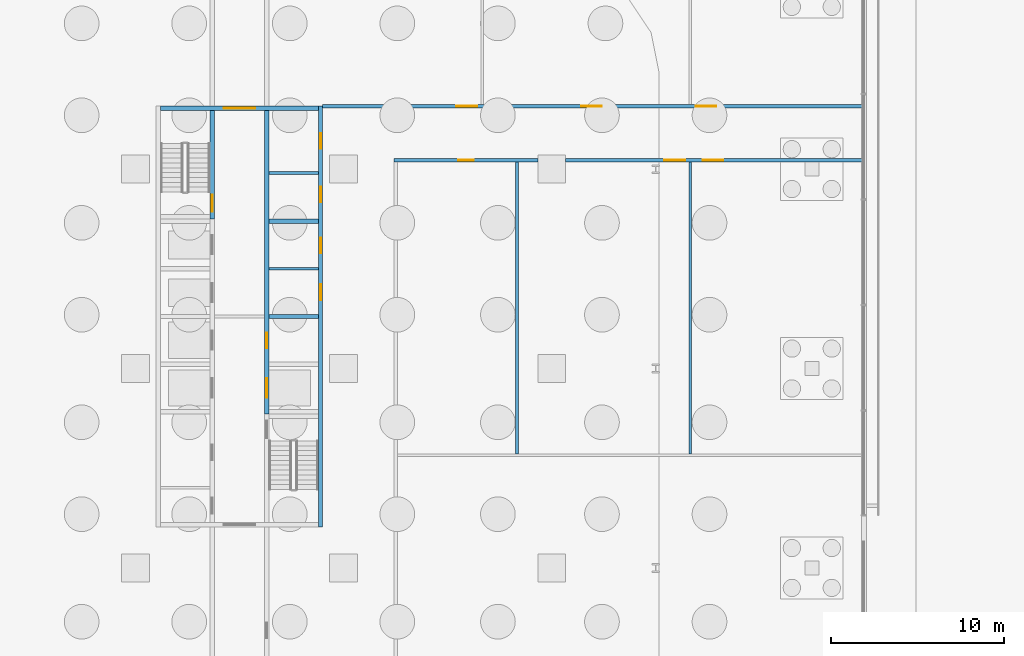
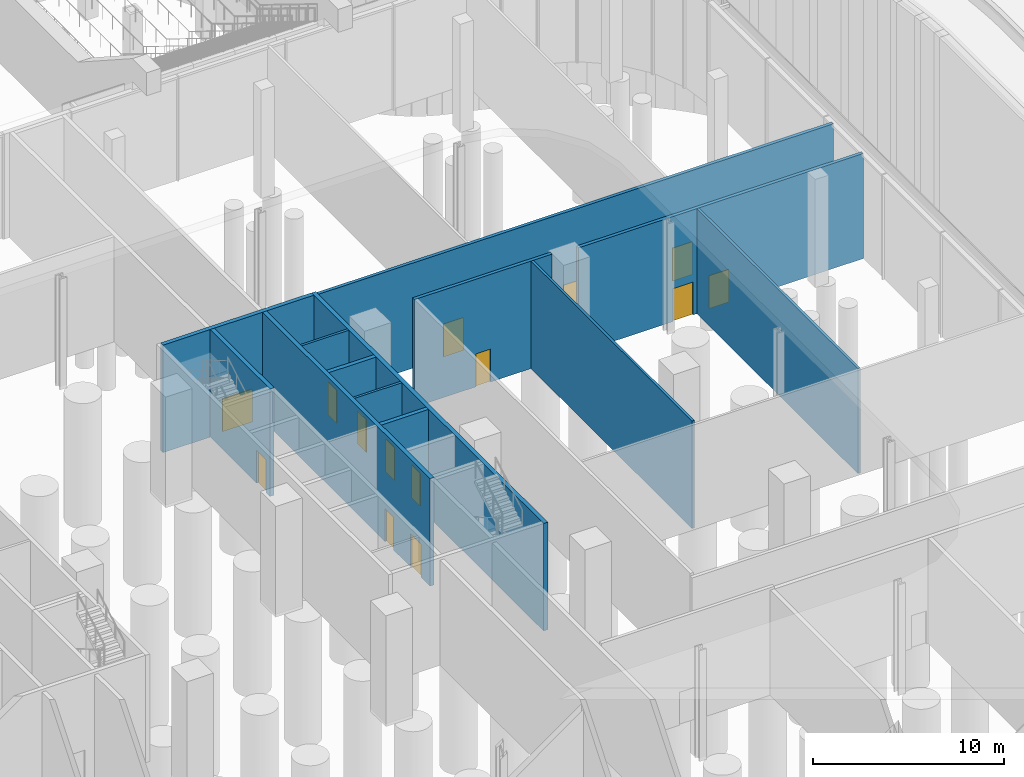
# One storey, part 28 of 48: 14 doors, 13 walls, 14 openings.
"""IFC4 building model written with IfcOpenShell, lengths in metres."""

from ifc_helpers import new_model, si_unit, direction, frame, frame_2d, origin, place, context, subcontext, project, spatial, rectangle, extrude, material, layer, layer_set, type_object, element, fill, save


model = new_model("IFC4")

# Units and contexts
model_context = context("Model", 3, precision=1e-05, world=origin(), true_north=direction((0.0, 1.0)))
body_context = subcontext(model_context, "Body", "Model", "MODEL_VIEW")
ifc_project = project(units=[si_unit("LENGTHUNIT", "METRE"), si_unit("AREAUNIT", "SQUARE_METRE"), si_unit("VOLUMEUNIT", "CUBIC_METRE"), si_unit("PLANEANGLEUNIT", "RADIAN"), si_unit("MASSUNIT", "GRAM", prefix="KILO")], contexts=[model_context])

# Site, building, storey
site_placement = place(None, origin())
site = spatial("IfcSite", under=ifc_project, at=site_placement, CompositionType="ELEMENT")
building_placement = place(site_placement, origin())
building = spatial("IfcBuilding", under=site, at=building_placement, Name="Mahtab Terrace Research Tower", CompositionType="ELEMENT")
storey_placement = place(building_placement, origin())
storey = spatial("IfcBuildingStorey", under=building, at=storey_placement, Name="G", CompositionType="ELEMENT", Elevation=0.0)

# Walls
ifc_material_1 = material(Name="Gypsum board partition")
ifc_layer_1 = layer(ifc_material_1, 0.14990234375)
ifc_layer_set_1 = layer_set([ifc_layer_1], Name="Core partition 150")
wall_type_1 = type_object("IfcWallType", Name="Core partition 150", PredefinedType="PARTITIONING", material=ifc_layer_set_1)
for number, where, z_axis, x_axis, name in (
    (1, (25.699951171875, 5.75, 0.0), (0.0, 0.0, 1.0), (1.0, 0.0, 0.0), "Core wall C pEL275"),
    (2, (25.699951171875, 11.27490234375, 0.0), (0.0, 0.0, 1.0), (1.0, 0.0, 0.0), "Core wall C pEN828"),
):
    element("IfcWall", number, at=place(storey_placement, frame(where, z_axis=z_axis, x_axis=x_axis)), inside=storey, type_object=wall_type_1, Name=name, PredefinedType="PARTITIONING", context=body_context, shape_type="SweptSolid", body=[
        extrude(rectangle(XDim=2.85009765625, YDim=0.14990234375, at=frame_2d((1.425048828125, 0.0))), origin(), (0.0, 0.0, 1.0), 6.860107421875),
    ])

# Wall, openings, doors
ifc_material_2 = material(Name="Concrete C70/85", Category="concrete")
ifc_layer_2 = layer(ifc_material_2, 0.25)
ifc_layer_set_2 = layer_set([ifc_layer_2], Name="Core wall 250")
wall_type_2 = type_object("IfcWallType", Name="Core wall 250", PredefinedType="SOLIDWALL", material=ifc_layer_set_2)
wall_1_placement = place(storey_placement, frame((28.675048828125, -9.125, 0.0), z_axis=(0.0, 0.0, 1.0), x_axis=(0.0, 1.0, 0.0)))
wall_1 = element("IfcWall", 3, at=wall_1_placement, inside=storey, type_object=wall_type_2, Name="Core wall C outerE", PredefinedType="SOLIDWALL", context=body_context, shape_type="SweptSolid", body=[
    extrude(rectangle(XDim=24.25, YDim=0.25, at=frame_2d((12.125, 0.0))), origin(), (0.0, 0.0, 1.0), 6.860107421875),
])
opening_1_placement = place(wall_1_placement, frame((13.074951171875, 0.0, 0.0)))
opening_1 = element("IfcOpeningElement", 4, at=opening_1_placement, cuts=wall_1, Name="Opening C-R2", PredefinedType="OPENING", context=body_context, shape_type="SweptSolid", body=[
    extrude(rectangle(XDim=0.89990234375, YDim=2.10009765625, at=frame_2d((0.449951171875, 1.050048828125))), frame((0.0, 0.135009765625, 0.0), z_axis=(0.0, -1.0, 0.0), x_axis=(1.0, 0.0, 0.0)), (0.0, 0.0, 1.0), 0.27001953125),
])
opening_2_placement = place(wall_1_placement, frame((15.77490234375, 0.0, 0.0)))
opening_2 = element("IfcOpeningElement", 5, at=opening_2_placement, cuts=wall_1, Name="Opening C-R3", PredefinedType="OPENING", context=body_context, shape_type="SweptSolid", body=[
    extrude(rectangle(XDim=0.89990234375, YDim=2.10009765625, at=frame_2d((0.449951171875, 1.050048828125))), frame((0.0, 0.135009765625, 0.0), z_axis=(0.0, -1.0, 0.0), x_axis=(1.0, 0.0, 0.0)), (0.0, 0.0, 1.0), 0.27001953125),
])
opening_3_placement = place(wall_1_placement, frame((18.71240234375, 0.0, 0.0)))
opening_3 = element("IfcOpeningElement", 6, at=opening_3_placement, cuts=wall_1, Name="Opening C-R6", PredefinedType="OPENING", context=body_context, shape_type="SweptSolid", body=[
    extrude(rectangle(XDim=0.89990234375, YDim=2.10009765625, at=frame_2d((0.449951171875, 1.050048828125))), frame((0.0, 0.135009765625, 0.0), z_axis=(0.0, -1.0, 0.0), x_axis=(1.0, 0.0, 0.0)), (0.0, 0.0, 1.0), 0.27001953125),
])
opening_4_placement = place(wall_1_placement, frame((21.78759765625, 0.0, 0.0)))
opening_4 = element("IfcOpeningElement", 7, at=opening_4_placement, cuts=wall_1, Name="Opening C-R7", PredefinedType="OPENING", context=body_context, shape_type="SweptSolid", body=[
    extrude(rectangle(XDim=0.89990234375, YDim=2.10009765625, at=frame_2d((0.449951171875, 1.050048828125))), frame((0.0, 0.135009765625, 0.0), z_axis=(0.0, -1.0, 0.0), x_axis=(1.0, 0.0, 0.0)), (0.0, 0.0, 1.0), 0.27001953125),
])
ifc_material_3 = material(Name="Steel fire door", Category="steel")
door_type_1 = type_object("IfcDoorType", Name="Room door 900x2100 1 HR", OperationType="NOTDEFINED", PredefinedType="DOOR", material=ifc_material_3)
door_1_placement = place(opening_1_placement, origin())
door_1 = element("IfcDoor", 8, at=door_1_placement, inside=storey, type_object=door_type_1, Name="Document store door", OperationType="SINGLE_SWING_RIGHT", OverallHeight=2.10009765625, OverallWidth=0.89990234375, PredefinedType="DOOR", context=body_context, shape_type="SweptSolid", body=[
    extrude(rectangle(XDim=0.89990234375, YDim=2.10009765625, at=frame_2d((0.449951171875, 1.050048828125))), frame((0.0, 0.02490234375, 0.0), z_axis=(0.0, -1.0, 0.0), x_axis=(1.0, 0.0, 0.0)), (0.0, 0.0, 1.0), 0.050048828125),
])
fill(opening_1, door_1)
door_2_placement = place(opening_2_placement, origin())
door_2 = element("IfcDoor", 9, at=door_2_placement, inside=storey, type_object=door_type_1, Name="IT equipment room door", OperationType="SINGLE_SWING_LEFT", OverallHeight=2.10009765625, OverallWidth=0.89990234375, PredefinedType="DOOR", context=body_context, shape_type="SweptSolid", body=[
    extrude(rectangle(XDim=0.89990234375, YDim=2.10009765625, at=frame_2d((0.449951171875, 1.050048828125))), frame((0.0, 0.02490234375, 0.0), z_axis=(0.0, -1.0, 0.0), x_axis=(1.0, 0.0, 0.0)), (0.0, 0.0, 1.0), 0.050048828125),
])
fill(opening_2, door_2)
door_3_placement = place(opening_3_placement, origin())
door_3 = element("IfcDoor", 10, at=door_3_placement, inside=storey, type_object=door_type_1, Name="Mechanical riser room door", OperationType="SINGLE_SWING_RIGHT", OverallHeight=2.10009765625, OverallWidth=0.89990234375, PredefinedType="DOOR", context=body_context, shape_type="SweptSolid", body=[
    extrude(rectangle(XDim=0.89990234375, YDim=2.10009765625, at=frame_2d((0.449951171875, 1.050048828125))), frame((0.0, 0.02490234375, 0.0), z_axis=(0.0, -1.0, 0.0), x_axis=(1.0, 0.0, 0.0)), (0.0, 0.0, 1.0), 0.050048828125),
])
fill(opening_3, door_3)
door_4_placement = place(opening_4_placement, origin())
door_4 = element("IfcDoor", 11, at=door_4_placement, inside=storey, type_object=door_type_1, Name="Chemical store door", OperationType="SINGLE_SWING_LEFT", OverallHeight=2.10009765625, OverallWidth=0.89990234375, PredefinedType="DOOR", context=body_context, shape_type="SweptSolid", body=[
    extrude(rectangle(XDim=0.89990234375, YDim=2.10009765625, at=frame_2d((0.449951171875, 1.050048828125))), frame((0.0, 0.02490234375, 0.0), z_axis=(0.0, -1.0, 0.0), x_axis=(1.0, 0.0, 0.0)), (0.0, 0.0, 1.0), 0.050048828125),
])
fill(opening_4, door_4)

# Wall, opening, door
wall_2_placement = place(storey_placement, frame((19.449951171875, 15.0, 0.0), z_axis=(0.0, 0.0, 1.0), x_axis=(1.0, 0.0, 0.0)))
wall_2 = element("IfcWall", 12, at=wall_2_placement, inside=storey, type_object=wall_type_2, Name="Core wall C endN", PredefinedType="SOLIDWALL", context=body_context, shape_type="SweptSolid", body=[
    extrude(rectangle(XDim=9.10009765625, YDim=0.25, at=frame_2d((4.550048828125, 0.0))), origin(), (0.0, 0.0, 1.0), 6.860107421875),
])
opening_5_placement = place(wall_2_placement, frame((3.64990234375, 0.0, 0.0)))
opening_5 = element("IfcOpeningElement", 13, at=opening_5_placement, cuts=wall_2, Name="Opening C-N1", PredefinedType="OPENING", context=body_context, shape_type="SweptSolid", body=[
    extrude(rectangle(XDim=1.800048828125, YDim=2.10009765625, at=frame_2d((0.89990234375, 1.050048828125))), frame((0.0, 0.135009765625, 0.0), z_axis=(0.0, -1.0, 0.0), x_axis=(1.0, 0.0, 0.0)), (0.0, 0.0, 1.0), 0.27001953125),
])
door_type_2 = type_object("IfcDoorType", Name="Lobby double door 1800x2100 1 HR", OperationType="DOUBLE_DOOR_SINGLE_SWING", PredefinedType="DOOR", material=ifc_material_3)
door_5_placement = place(opening_5_placement, origin())
door_5 = element("IfcDoor", 14, at=door_5_placement, inside=storey, type_object=door_type_2, Name="Core entrance door C N", OperationType="DOUBLE_DOOR_SINGLE_SWING", OverallHeight=2.10009765625, OverallWidth=1.800048828125, PredefinedType="DOOR", context=body_context, shape_type="SweptSolid", body=[
    extrude(rectangle(XDim=1.800048828125, YDim=2.10009765625, at=frame_2d((0.89990234375, 1.050048828125))), frame((0.0, 0.02490234375, 0.0), z_axis=(0.0, -1.0, 0.0), x_axis=(1.0, 0.0, 0.0)), (0.0, 0.0, 1.0), 0.050048828125),
])
fill(opening_5, door_5)

wall_3_placement = place(storey_placement, frame((22.425048828125, 14.875, 0.0), z_axis=(0.0, 0.0, 1.0), x_axis=(0.0, -1.0, 0.0)))
wall_3 = element("IfcWall", 15, at=wall_3_placement, inside=storey, type_object=wall_type_2, Name="Core wall C innerWN", PredefinedType="SOLIDWALL", context=body_context, shape_type="SweptSolid", body=[
    extrude(rectangle(XDim=6.25, YDim=0.25, at=frame_2d((3.125, 0.0))), origin(), (0.0, 0.0, 1.0), 6.860107421875),
])
opening_6_placement = place(wall_3_placement, frame((4.85009765625, 0.0, 0.0)))
opening_6 = element("IfcOpeningElement", 16, at=opening_6_placement, cuts=wall_3, Name="Opening C-ST3", PredefinedType="OPENING", context=body_context, shape_type="SweptSolid", body=[
    extrude(rectangle(XDim=1.0, YDim=2.10009765625, at=frame_2d((0.5, 1.050048828125))), frame((0.0, 0.135009765625, 0.0), z_axis=(0.0, -1.0, 0.0), x_axis=(1.0, 0.0, 0.0)), (0.0, 0.0, 1.0), 0.27001953125),
])
door_type_3 = type_object("IfcDoorType", Name="Stair door 1000x2100 1.5 HR", OperationType="NOTDEFINED", PredefinedType="DOOR", material=ifc_material_3)
door_6_placement = place(opening_6_placement, origin())
door_6 = element("IfcDoor", 17, at=door_6_placement, inside=storey, type_object=door_type_3, Name="Stair door ST3 G", OperationType="SINGLE_SWING_RIGHT", OverallHeight=2.10009765625, OverallWidth=1.0, PredefinedType="DOOR", context=body_context, shape_type="SweptSolid", body=[
    extrude(rectangle(XDim=1.0, YDim=2.10009765625, at=frame_2d((0.5, 1.050048828125))), frame((0.0, 0.02490234375, 0.0), z_axis=(0.0, -1.0, 0.0), x_axis=(1.0, 0.0, 0.0)), (0.0, 0.0, 1.0), 0.050048828125),
])
fill(opening_6, door_6)

# Wall, openings, doors
wall_4_placement = place(storey_placement, frame((25.574951171875, 14.875, 0.0), z_axis=(0.0, 0.0, 1.0), x_axis=(0.0, -1.0, 0.0)))
wall_4 = element("IfcWall", 18, at=wall_4_placement, inside=storey, type_object=wall_type_2, Name="Core wall C innerELN", PredefinedType="SOLIDWALL", context=body_context, shape_type="SweptSolid", body=[
    extrude(rectangle(XDim=17.5, YDim=0.25, at=frame_2d((8.75, 0.0))), origin(), (0.0, 0.0, 1.0), 6.860107421875),
])
opening_7_placement = place(wall_4_placement, frame((15.449951171875, 0.0, 0.0)))
opening_7 = element("IfcOpeningElement", 19, at=opening_7_placement, cuts=wall_4, Name="Opening LD21-G", PredefinedType="OPENING", context=body_context, shape_type="SweptSolid", body=[
    extrude(rectangle(XDim=1.10009765625, YDim=2.10009765625, at=frame_2d((0.550048828125, 1.050048828125))), frame((0.0, 0.135009765625, 0.0), z_axis=(0.0, -1.0, 0.0), x_axis=(1.0, 0.0, 0.0)), (0.0, 0.0, 1.0), 0.27001953125),
])
opening_8_placement = place(wall_4_placement, frame((12.800048828125, 0.0, 0.0)))
opening_8 = element("IfcOpeningElement", 20, at=opening_8_placement, cuts=wall_4, Name="Opening C-R1", PredefinedType="OPENING", context=body_context, shape_type="SweptSolid", body=[
    extrude(rectangle(XDim=0.89990234375, YDim=2.10009765625, at=frame_2d((0.449951171875, 1.050048828125))), frame((0.0, 0.135009765625, 0.0), z_axis=(0.0, -1.0, 0.0), x_axis=(1.0, 0.0, 0.0)), (0.0, 0.0, 1.0), 0.27001953125),
])
ifc_material_4 = material(Name="Stainless steel AISI 304", Category="steel")
door_type_4 = type_object("IfcDoorType", Name="Landing door 1100x2100", OperationType="DOUBLE_DOOR_SLIDING", PredefinedType="DOOR", material=ifc_material_4)
door_7_placement = place(opening_7_placement, origin())
door_7 = element("IfcDoor", 21, at=door_7_placement, inside=storey, type_object=door_type_4, Name="Landing door SV3 G", OperationType="DOUBLE_DOOR_SLIDING", OverallHeight=2.10009765625, OverallWidth=1.10009765625, PredefinedType="DOOR", context=body_context, shape_type="SweptSolid", body=[
    extrude(rectangle(XDim=1.10009765625, YDim=2.10009765625, at=frame_2d((0.550048828125, 1.050048828125))), frame((0.0, 0.02490234375, 0.0), z_axis=(0.0, -1.0, 0.0), x_axis=(1.0, 0.0, 0.0)), (0.0, 0.0, 1.0), 0.050048828125),
])
fill(opening_7, door_7)
door_8_placement = place(opening_8_placement, origin())
door_8 = element("IfcDoor", 22, at=door_8_placement, inside=storey, type_object=door_type_1, Name="Plant room door", OperationType="SINGLE_SWING_LEFT", OverallHeight=2.10009765625, OverallWidth=0.89990234375, PredefinedType="DOOR", context=body_context, shape_type="SweptSolid", body=[
    extrude(rectangle(XDim=0.89990234375, YDim=2.10009765625, at=frame_2d((0.449951171875, 1.050048828125))), frame((0.0, 0.02490234375, 0.0), z_axis=(0.0, -1.0, 0.0), x_axis=(1.0, 0.0, 0.0)), (0.0, 0.0, 1.0), 0.050048828125),
])
fill(opening_8, door_8)

# Walls
for number, where, z_axis, x_axis, name in (
    (23, (25.699951171875, 3.0, 0.0), (0.0, 0.0, 1.0), (1.0, 0.0, 0.0), "Core wall C divE2"),
    (24, (25.699951171875, 8.5, 0.0), (0.0, 0.0, 1.0), (1.0, 0.0, 0.0), "Core wall C divE4"),
):
    element("IfcWall", number, at=place(storey_placement, frame(where, z_axis=z_axis, x_axis=x_axis)), inside=storey, type_object=wall_type_2, Name=name, PredefinedType="SOLIDWALL", context=body_context, shape_type="SweptSolid", body=[
        extrude(rectangle(XDim=2.85009765625, YDim=0.25, at=frame_2d((1.425048828125, 0.0))), origin(), (0.0, 0.0, 1.0), 6.860107421875),
    ])

# Wall, opening, door
ifc_material_5 = material(Name="Gypsum board corridor wall on steel studs", Category="steel")
ifc_layer_3 = layer(ifc_material_5, 0.199951171875)
ifc_layer_set_3 = layer_set([ifc_layer_3], Name="WALL CORRIDOR 200")
wall_type_3 = type_object("IfcWallType", Name="WALL CORRIDOR 200", PredefinedType="PARTITIONING", material=ifc_layer_set_3)
wall_5_placement = place(storey_placement, frame((32.89990234375, 12.0, 0.0), z_axis=(0.0, 0.0, 1.0), x_axis=(1.0, 0.0, 0.0)))
wall_5 = element("IfcWall", 25, at=wall_5_placement, inside=storey, type_object=wall_type_3, Name="G-W013", PredefinedType="PARTITIONING", context=body_context, shape_type="SweptSolid", body=[
    extrude(rectangle(XDim=8.300048828125, YDim=0.199951171875, at=frame_2d((4.14990234375, 0.0))), origin(), (0.0, 0.0, 1.0), 6.860107421875),
])
opening_9_placement = place(wall_5_placement, frame((3.699951171875, 0.0, 0.0)))
opening_9 = element("IfcOpeningElement", 26, at=opening_9_placement, cuts=wall_5, Name="Opening G-113", PredefinedType="OPENING", context=body_context, shape_type="SweptSolid", body=[
    extrude(rectangle(XDim=0.89990234375, YDim=2.10009765625, at=frame_2d((0.449951171875, 1.050048828125))), frame((0.0, 0.10986328125, 0.0), z_axis=(0.0, -1.0, 0.0), x_axis=(1.0, 0.0, 0.0)), (0.0, 0.0, 1.0), 0.219970703125),
])
ifc_material_6 = material(Name="Timber door leaf in steel frame", Category="steel")
door_type_5 = type_object("IfcDoorType", Name="DOOR 0900X2100 FD30S", OperationType="SINGLE_SWING_LEFT", PredefinedType="DOOR", material=ifc_material_6)
door_9_placement = place(opening_9_placement, origin())
door_9 = element("IfcDoor", 27, at=door_9_placement, inside=storey, type_object=door_type_5, Name="Door G-113", OperationType="SINGLE_SWING_RIGHT", OverallHeight=2.10009765625, OverallWidth=0.89990234375, PredefinedType="DOOR", context=body_context, shape_type="SweptSolid", body=[
    extrude(rectangle(XDim=0.89990234375, YDim=2.10009765625, at=frame_2d((0.449951171875, 1.050048828125))), frame((0.0, 0.02490234375, 0.0), z_axis=(0.0, -1.0, 0.0), x_axis=(1.0, 0.0, 0.0)), (0.0, 0.0, 1.0), 0.050048828125),
])
fill(opening_9, door_9)

# Wall, openings, doors
wall_6_placement = place(storey_placement, frame((42.800048828125, 12.0, 0.0), z_axis=(0.0, 0.0, 1.0), x_axis=(1.0, 0.0, 0.0)))
wall_6 = element("IfcWall", 28, at=wall_6_placement, inside=storey, type_object=wall_type_3, Name="G-W014", PredefinedType="PARTITIONING", context=body_context, shape_type="SweptSolid", body=[
    extrude(rectangle(XDim=17.175048828125, YDim=0.199951171875, at=frame_2d((8.58740234375, 0.0))), origin(), (0.0, 0.0, 1.0), 6.699951171875),
])
opening_10_placement = place(wall_6_placement, frame((5.699951171875, 0.0, 0.0)))
opening_10 = element("IfcOpeningElement", 29, at=opening_10_placement, cuts=wall_6, Name="Opening G-114", PredefinedType="OPENING", context=body_context, shape_type="SweptSolid", body=[
    extrude(rectangle(XDim=1.199951171875, YDim=2.10009765625, at=frame_2d((0.60009765625, 1.050048828125))), frame((0.0, 0.10986328125, 0.0), z_axis=(0.0, -1.0, 0.0), x_axis=(1.0, 0.0, 0.0)), (0.0, 0.0, 1.0), 0.219970703125),
])
opening_11_placement = place(wall_6_placement, frame((7.89990234375, 0.0, 0.0)))
opening_11 = element("IfcOpeningElement", 30, at=opening_11_placement, cuts=wall_6, Name="Opening G-115", PredefinedType="OPENING", context=body_context, shape_type="SweptSolid", body=[
    extrude(rectangle(XDim=1.199951171875, YDim=2.10009765625, at=frame_2d((0.60009765625, 1.050048828125))), frame((0.0, 0.10986328125, 0.0), z_axis=(0.0, -1.0, 0.0), x_axis=(1.0, 0.0, 0.0)), (0.0, 0.0, 1.0), 0.219970703125),
])
door_type_6 = type_object("IfcDoorType", Name="DOOR 1200X2100 FD30S", OperationType="SINGLE_SWING_LEFT", PredefinedType="DOOR", material=ifc_material_6)
door_10_placement = place(opening_10_placement, origin())
door_10 = element("IfcDoor", 31, at=door_10_placement, inside=storey, type_object=door_type_6, Name="Door G-114", OperationType="SINGLE_SWING_RIGHT", OverallHeight=2.10009765625, OverallWidth=1.199951171875, PredefinedType="DOOR", context=body_context, shape_type="SweptSolid", body=[
    extrude(rectangle(XDim=1.199951171875, YDim=2.10009765625, at=frame_2d((0.60009765625, 1.050048828125))), frame((0.0, 0.02490234375, 0.0), z_axis=(0.0, -1.0, 0.0), x_axis=(1.0, 0.0, 0.0)), (0.0, 0.0, 1.0), 0.050048828125),
])
fill(opening_10, door_10)
door_11_placement = place(opening_11_placement, origin())
door_11 = element("IfcDoor", 32, at=door_11_placement, inside=storey, type_object=door_type_6, Name="Door G-115", OperationType="SINGLE_SWING_RIGHT", OverallHeight=2.10009765625, OverallWidth=1.199951171875, PredefinedType="DOOR", context=body_context, shape_type="SweptSolid", body=[
    extrude(rectangle(XDim=1.199951171875, YDim=2.10009765625, at=frame_2d((0.60009765625, 1.050048828125))), frame((0.0, 0.02490234375, 0.0), z_axis=(0.0, -1.0, 0.0), x_axis=(1.0, 0.0, 0.0)), (0.0, 0.0, 1.0), 0.050048828125),
])
fill(opening_11, door_11)

wall_7_placement = place(storey_placement, frame((28.800048828125, 15.125, 0.0), z_axis=(0.0, 0.0, 1.0), x_axis=(1.0, 0.0, 0.0)))
wall_7 = element("IfcWall", 33, at=wall_7_placement, inside=storey, type_object=wall_type_3, Name="G-W019", PredefinedType="PARTITIONING", context=body_context, shape_type="SweptSolid", body=[
    extrude(rectangle(XDim=31.175048828125, YDim=0.199951171875, at=frame_2d((15.58740234375, 0.0))), origin(), (0.0, 0.0, 1.0), 6.699951171875),
])
opening_12_placement = place(wall_7_placement, frame((7.699951171875, 0.0, 0.0)))
opening_12 = element("IfcOpeningElement", 34, at=opening_12_placement, cuts=wall_7, Name="Opening G-118", PredefinedType="OPENING", context=body_context, shape_type="SweptSolid", body=[
    extrude(rectangle(XDim=1.199951171875, YDim=2.10009765625, at=frame_2d((0.60009765625, 1.050048828125))), frame((0.0, 0.10986328125, 0.0), z_axis=(0.0, -1.0, 0.0), x_axis=(1.0, 0.0, 0.0)), (0.0, 0.0, 1.0), 0.219970703125),
])
opening_13_placement = place(wall_7_placement, frame((14.89990234375, 0.0, 0.0)))
opening_13 = element("IfcOpeningElement", 35, at=opening_13_placement, cuts=wall_7, Name="Opening G-119", PredefinedType="OPENING", context=body_context, shape_type="SweptSolid", body=[
    extrude(rectangle(XDim=1.199951171875, YDim=2.10009765625, at=frame_2d((0.60009765625, 1.050048828125))), frame((0.0, 0.10986328125, 0.0), z_axis=(0.0, -1.0, 0.0), x_axis=(1.0, 0.0, 0.0)), (0.0, 0.0, 1.0), 0.219970703125),
])
opening_14_placement = place(wall_7_placement, frame((21.5, 0.0, 0.0)))
opening_14 = element("IfcOpeningElement", 36, at=opening_14_placement, cuts=wall_7, Name="Opening G-120", PredefinedType="OPENING", context=body_context, shape_type="SweptSolid", body=[
    extrude(rectangle(XDim=1.199951171875, YDim=2.10009765625, at=frame_2d((0.60009765625, 1.050048828125))), frame((0.0, 0.10986328125, 0.0), z_axis=(0.0, -1.0, 0.0), x_axis=(1.0, 0.0, 0.0)), (0.0, 0.0, 1.0), 0.219970703125),
])
door_12_placement = place(opening_12_placement, origin())
door_12 = element("IfcDoor", 37, at=door_12_placement, inside=storey, type_object=door_type_6, Name="Door G-118", OperationType="SINGLE_SWING_LEFT", OverallHeight=2.10009765625, OverallWidth=1.199951171875, PredefinedType="DOOR", context=body_context, shape_type="SweptSolid", body=[
    extrude(rectangle(XDim=1.199951171875, YDim=2.10009765625, at=frame_2d((0.60009765625, 1.050048828125))), frame((0.0, 0.02490234375, 0.0), z_axis=(0.0, -1.0, 0.0), x_axis=(1.0, 0.0, 0.0)), (0.0, 0.0, 1.0), 0.050048828125),
])
fill(opening_12, door_12)
door_13_placement = place(opening_13_placement, origin())
door_13 = element("IfcDoor", 38, at=door_13_placement, inside=storey, type_object=door_type_6, Name="Door G-119", OperationType="SINGLE_SWING_LEFT", OverallHeight=2.10009765625, OverallWidth=1.199951171875, PredefinedType="DOOR", context=body_context, shape_type="SweptSolid", body=[
    extrude(rectangle(XDim=1.199951171875, YDim=2.10009765625, at=frame_2d((0.60009765625, 1.050048828125))), frame((0.0, 0.02490234375, 0.0), z_axis=(0.0, -1.0, 0.0), x_axis=(1.0, 0.0, 0.0)), (0.0, 0.0, 1.0), 0.050048828125),
])
fill(opening_13, door_13)
door_14_placement = place(opening_14_placement, origin())
door_14 = element("IfcDoor", 39, at=door_14_placement, inside=storey, type_object=door_type_6, Name="Door G-120", OperationType="SINGLE_SWING_RIGHT", OverallHeight=2.10009765625, OverallWidth=1.199951171875, PredefinedType="DOOR", context=body_context, shape_type="SweptSolid", body=[
    extrude(rectangle(XDim=1.199951171875, YDim=2.10009765625, at=frame_2d((0.60009765625, 1.050048828125))), frame((0.0, 0.02490234375, 0.0), z_axis=(0.0, -1.0, 0.0), x_axis=(1.0, 0.0, 0.0)), (0.0, 0.0, 1.0), 0.050048828125),
])
fill(opening_14, door_14)

# Walls
ifc_material_7 = material(Name="Gypsum board partition on steel studs", Category="steel")
ifc_layer_4 = layer(ifc_material_7, 0.14990234375)
ifc_layer_set_4 = layer_set([ifc_layer_4], Name="WALL PARTITION 150")
wall_type_4 = type_object("IfcWallType", Name="WALL PARTITION 150", PredefinedType="PARTITIONING", material=ifc_layer_set_4)
wall_8_placement = place(storey_placement, frame((40.0, -4.925048828125, 0.0), z_axis=(0.0, 0.0, 1.0), x_axis=(0.0, 1.0, 0.0)))
element("IfcWall", 40, at=wall_8_placement, inside=storey, type_object=wall_type_4, Name="G-W029", PredefinedType="PARTITIONING", context=body_context, shape_type="SweptSolid", body=[
    extrude(rectangle(XDim=16.824951171875, YDim=0.14990234375, at=frame_2d((8.41259765625, 0.0))), origin(), (0.0, 0.0, 1.0), 6.860107421875),
])
wall_9_placement = place(storey_placement, frame((50.0, -4.925048828125, 0.0), z_axis=(0.0, 0.0, 1.0), x_axis=(0.0, 1.0, 0.0)))
element("IfcWall", 41, at=wall_9_placement, inside=storey, type_object=wall_type_4, Name="G-W031", PredefinedType="PARTITIONING", context=body_context, shape_type="SweptSolid", body=[
    extrude(rectangle(XDim=16.824951171875, YDim=0.14990234375, at=frame_2d((8.41259765625, 0.0))), origin(), (0.0, 0.0, 1.0), 6.699951171875),
])

save(model, "model.ifc")
